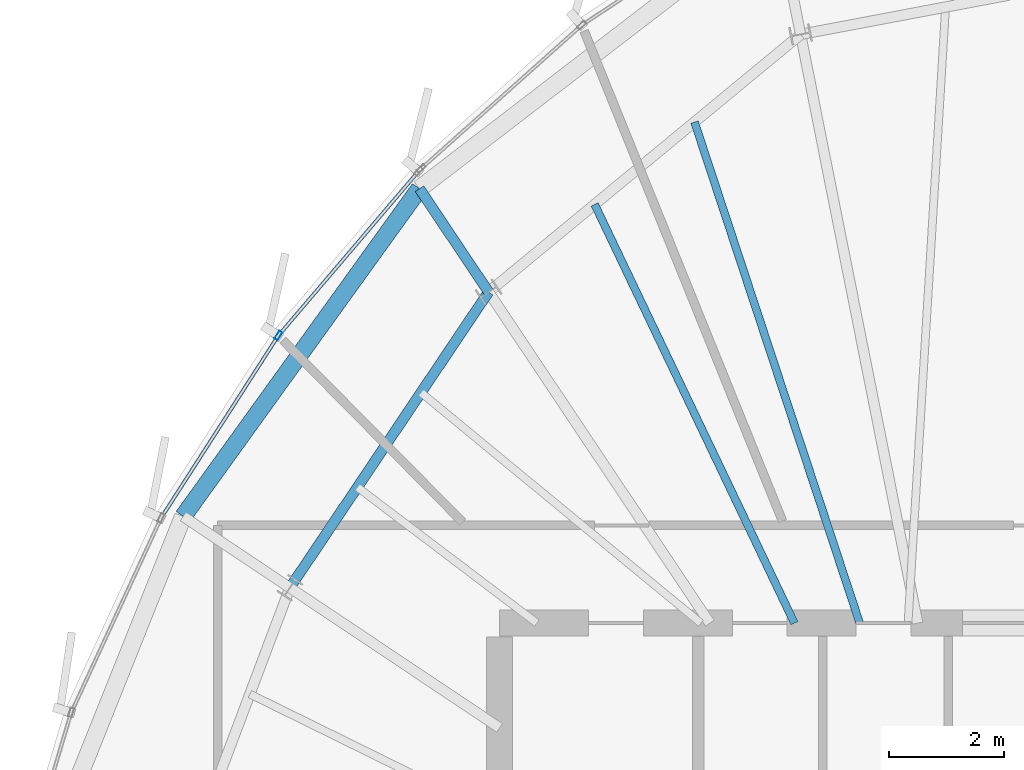
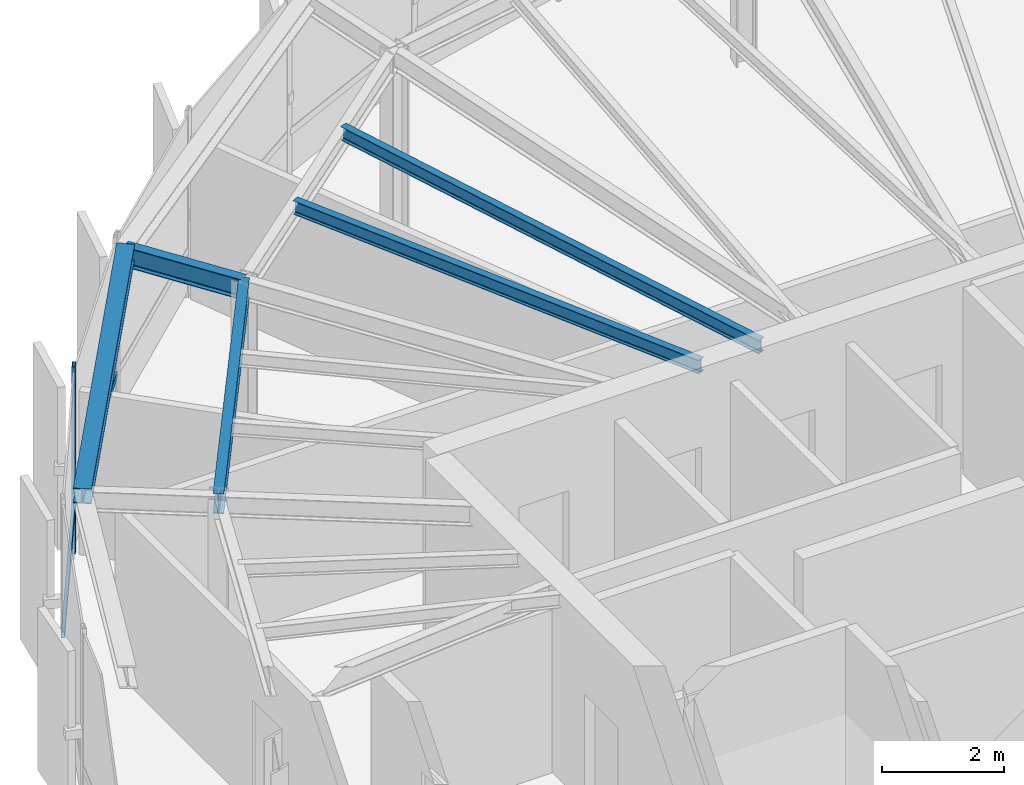
# One storey, part 14 of 27: 5 beams, 3 members, 1 element without a shape of its own.
"""IFC4 building model written with IfcOpenShell, lengths in metres."""

from ifc_helpers import new_model, si_unit, direction, frame, origin, origin_2d, place, context, subcontext, project, spatial, hollow_rectangle, i_section, extrude, source, transform, mapped, material, layer, layer_set, material_profile, profile_set, type_object, element, aggregate, save


model = new_model("IFC4")

# Units and contexts
model_context = context("Model", 3, precision=1e-05, world=origin(), true_north=direction((0.0, 1.0)))
body_context = subcontext(model_context, "Body", "Model", "MODEL_VIEW")
ifc_project = project(units=[si_unit("LENGTHUNIT", "METRE"), si_unit("AREAUNIT", "SQUARE_METRE"), si_unit("VOLUMEUNIT", "CUBIC_METRE"), si_unit("PLANEANGLEUNIT", "RADIAN"), si_unit("MASSUNIT", "GRAM", prefix="KILO"), si_unit("THERMODYNAMICTEMPERATUREUNIT", "KELVIN")], contexts=[model_context])

# Site, building, storey
site_placement = place(None, origin())
site = spatial("IfcSite", under=ifc_project, at=site_placement, CompositionType="ELEMENT")
building_placement = place(site_placement, origin())
building = spatial("IfcBuilding", under=site, at=building_placement, Name="Kethvar Cultural Tower", CompositionType="ELEMENT")
storey_placement = place(building_placement, frame((0.0, 0.0, 312.300048828125)))
storey = spatial("IfcBuildingStorey", under=building, at=storey_placement, Name="L83", CompositionType="ELEMENT", Elevation=312.300048828125)

# Beams
ifc_material_1 = material(Name="Steel S355J2", Category="steel")
ifc_material_profile_1 = material_profile(ifc_material_1, i_section(OverallWidth=0.135009765625, OverallDepth=0.27001953125, WebThickness=0.006591796875, FlangeThickness=0.01025390625, FilletRadius=0.014892578125, at=origin_2d()), Name="Steel S355J2 — IPE270")
ifc_profile_set_1 = profile_set([ifc_material_profile_1], Name="Steel S355J2 — IPE270")
beam_type_1 = type_object("IfcBeamType", Name="BM-J270", PredefinedType="JOIST", material=ifc_profile_set_1)
shared_shape_1 = source(origin(), body_context, "Body", "SweptSolid", [
    extrude(i_section(OverallWidth=0.135009765625, OverallDepth=0.27001953125, WebThickness=0.006591796875, FlangeThickness=0.01025390625, FilletRadius=0.014892578125, at=origin_2d()), origin(), (0.0, 0.0, 1.0), 9.17138671875),
])
beam_1_placement = place(storey_placement, frame((44.260986328125, 35.5, 3.597900390625), z_axis=(-0.313151555446, 0.949703165901, 0.0), x_axis=(-0.949703165901, -0.313151555446, 0.0)))
element("IfcBeam", 1, at=beam_1_placement, inside=storey, type_object=beam_type_1, Name="L83 Composite Floor Joist J-05A", PredefinedType="JOIST", context=body_context, shape_type="MappedRepresentation", body=[
    mapped(shared_shape_1, transform((0.0, 0.0, 0.0), scale=1.0)),
])
shared_shape_2 = source(origin(), body_context, "Body", "SweptSolid", [
    extrude(i_section(OverallWidth=0.135009765625, OverallDepth=0.27001953125, WebThickness=0.006591796875, FlangeThickness=0.01025390625, FilletRadius=0.014892578125, at=origin_2d()), origin(), (0.0, 0.0, 1.0), 8.063232421875),
])
beam_2_placement = place(storey_placement, frame((43.1259765625, 35.5, 3.597900390625), z_axis=(-0.430642151588, 0.902522762746, 0.0), x_axis=(-0.902522762746, -0.430642151588, 0.0)))
element("IfcBeam", 2, at=beam_2_placement, inside=storey, type_object=beam_type_1, Name="L83 Composite Floor Joist J-05B", PredefinedType="JOIST", context=body_context, shape_type="MappedRepresentation", body=[
    mapped(shared_shape_2, transform((0.0, 0.0, 0.0), scale=1.0)),
])
ifc_material_profile_2 = material_profile(ifc_material_1, i_section(OverallWidth=0.179931640625, OverallDepth=0.39990234375, WebThickness=0.008544921875, FlangeThickness=0.013427734375, FilletRadius=0.02099609375, at=origin_2d()), Name="Steel S355J2 — IPE400")
ifc_profile_set_2 = profile_set([ifc_material_profile_2], Name="Steel S355J2 — IPE400")
beam_type_2 = type_object("IfcBeamType", Name="BM-IPE400", PredefinedType="BEAM", material=ifc_profile_set_2)
shared_shape_3 = source(origin(), body_context, "Body", "SweptSolid", [
    extrude(i_section(OverallWidth=0.179931640625, OverallDepth=0.39990234375, WebThickness=0.008544921875, FlangeThickness=0.013427734375, FilletRadius=0.02099609375, at=origin_2d()), origin(), (0.0, 0.0, 1.0), 6.192626953125),
])
beam_3_placement = place(storey_placement, frame((37.8095703125, 41.255126953125, 3.532958984375), z_axis=(-0.557698912025, -0.830043326295, 0.0), x_axis=(0.830043326295, -0.557698912025, 0.0)))
element("IfcBeam", 3, at=beam_3_placement, inside=storey, type_object=beam_type_2, Name="L83 Column Ring Tie Beam CR-06", PredefinedType="BEAM", context=body_context, shape_type="MappedRepresentation", body=[
    mapped(shared_shape_3, transform((0.0, 0.0, 0.0), scale=1.0)),
])
shared_shape_4 = source(origin(), body_context, "Body", "SweptSolid", [
    extrude(i_section(OverallWidth=0.179931640625, OverallDepth=0.39990234375, WebThickness=0.008544921875, FlangeThickness=0.013427734375, FilletRadius=0.02099609375, at=origin_2d()), origin(), (0.0, 0.0, 1.0), 2.16162109375),
])
beam_4_placement = place(storey_placement, frame((37.8095703125, 41.255126953125, 3.532958984375), z_axis=(-0.555559993995, 0.831476453709, 0.0), x_axis=(-0.831476453709, -0.555559993995, 0.0)))
element("IfcBeam", 4, at=beam_4_placement, inside=storey, type_object=beam_type_2, Name="L83 Perimeter Cantilever Beam RC-06", PredefinedType="BEAM", context=body_context, shape_type="MappedRepresentation", body=[
    mapped(shared_shape_4, transform((0.0, 0.0, 0.0), scale=1.0)),
])
ifc_material_profile_3 = material_profile(ifc_material_1, i_section(OverallWidth=0.300048828125, OverallDepth=0.300048828125, WebThickness=0.010986328125, FlangeThickness=0.01904296875, FilletRadius=0.027099609375, at=origin_2d()), Name="Steel S355J2 — HEB300")
ifc_profile_set_3 = profile_set([ifc_material_profile_3], Name="Steel S355J2 — HEB300")
beam_type_3 = type_object("IfcBeamType", Name="BM-SP300", PredefinedType="SPANDREL", material=ifc_profile_set_3)
shared_shape_5 = source(origin(), body_context, "Body", "SweptSolid", [
    extrude(i_section(OverallWidth=0.300048828125, OverallDepth=0.300048828125, WebThickness=0.010986328125, FlangeThickness=0.01904296875, FilletRadius=0.027099609375, at=origin_2d()), origin(), (0.0, 0.0, 1.0), 7.024169921875),
])
beam_5_placement = place(storey_placement, frame((36.608642578125, 43.052490234375, 3.5830078125), z_axis=(-0.584783491789, -0.811189415445, 0.0), x_axis=(0.811189415445, -0.584783491789, 0.0)))
element("IfcBeam", 5, at=beam_5_placement, inside=storey, type_object=beam_type_3, Name="L83 Perimeter Spandrel Beam SP-06", PredefinedType="SPANDREL", context=body_context, shape_type="MappedRepresentation", body=[
    mapped(shared_shape_5, transform((0.0, 0.0, 0.0), scale=1.0)),
])

# Curtain wall, members
ifc_material_2 = material(Name="Aluminium 6063-T6", Category="aluminium")
ifc_layer = layer(ifc_material_2, 0.179931640625, Name="Aluminium 6063-T6", Category="aluminium")
ifc_layer_set = layer_set([ifc_layer], Name="Aluminium 6063-T6 (180 mm)")
curtain_wall_type = type_object("IfcCurtainWallType", Name="CW-SYS-06-CROWN", PredefinedType="NOTDEFINED", material=ifc_layer_set)
curtain_wall_placement = place(storey_placement, origin())
curtain_wall = element("IfcCurtainWall", 6, at=curtain_wall_placement, inside=storey, type_object=curtain_wall_type, Name="L83 Curtain Wall Run 02", PredefinedType="NOTDEFINED")
ifc_material_profile_4 = material_profile(ifc_material_2, hollow_rectangle(XDim=0.06494140625, YDim=0.159912109375, WallThickness=0.0048828125, at=origin_2d()), Name="Aluminium 6063-T6 — RHS160x65x5")
ifc_profile_set_4 = profile_set([ifc_material_profile_4], Name="Aluminium 6063-T6 — RHS160x65x5")
member_type_1 = type_object("IfcMemberType", Name="CW-SYS-06-CROWN-MUL", PredefinedType="MULLION", material=ifc_profile_set_4)
shared_shape_6 = source(origin(), body_context, "Body", "SweptSolid", [
    extrude(hollow_rectangle(XDim=0.06494140625, YDim=0.159912109375, WallThickness=0.0048828125, at=origin_2d()), origin(), (0.0, 0.0, 1.0), 3.73486328125),
])
member_1_placement = place(storey_placement, frame((34.155517578125, 40.497314453125, 0.0), z_axis=(0.0, 0.0, 1.0), x_axis=(0.84126554203, -0.540622130321, 0.0)))
member_1 = element("IfcMember", 7, at=member_1_placement, type_object=member_type_1, Name="CW-L83-R02 Mullion 2", PredefinedType="MULLION", context=body_context, shape_type="MappedRepresentation", body=[
    mapped(shared_shape_6, transform((0.0, 0.0, 0.0), scale=1.0)),
])
ifc_material_profile_5 = material_profile(ifc_material_2, hollow_rectangle(XDim=0.06005859375, YDim=0.139892578125, WallThickness=0.0048828125, at=origin_2d()), Name="Aluminium 6063-T6 — RHS140x60x5")
ifc_profile_set_5 = profile_set([ifc_material_profile_5], Name="Aluminium 6063-T6 — RHS140x60x5")
member_type_2 = type_object("IfcMemberType", Name="CW-SYS-06-CROWN-TRN", PredefinedType="USERDEFINED", material=ifc_profile_set_5)
shared_shape_7 = source(origin(), body_context, "Body", "SweptSolid", [
    extrude(hollow_rectangle(XDim=0.06005859375, YDim=0.139892578125, WallThickness=0.0048828125, at=origin_2d()), origin(), (0.0, 0.0, 1.0), 3.717529296875),
])
member_2_placement = place(storey_placement, frame((36.58837890625, 43.348876953125, 0.949951171875), z_axis=(-0.648831435637, -0.760932170518, 0.0), x_axis=(0.760932170518, -0.648831435637, 0.0)))
member_2 = element("IfcMember", 8, at=member_2_placement, type_object=member_type_2, Name="CW-L83-R02 Transom 1", ObjectType="TRANSOM", PredefinedType="USERDEFINED", context=body_context, shape_type="MappedRepresentation", body=[
    mapped(shared_shape_7, transform((0.0, 0.0, 0.0), scale=1.0)),
])
shared_shape_8 = source(origin(), body_context, "Body", "SweptSolid", [
    extrude(hollow_rectangle(XDim=0.06005859375, YDim=0.139892578125, WallThickness=0.0048828125, at=origin_2d()), origin(), (0.0, 0.0, 1.0), 3.69287109375),
])
member_3_placement = place(storey_placement, frame((34.130126953125, 40.4580078125, 0.949951171875), z_axis=(-0.540600535268, -0.841279419259, 0.0), x_axis=(0.841279419259, -0.540600535268, 0.0)))
member_3 = element("IfcMember", 9, at=member_3_placement, type_object=member_type_2, Name="CW-L83-R02 Transom 2", ObjectType="TRANSOM", PredefinedType="USERDEFINED", context=body_context, shape_type="MappedRepresentation", body=[
    mapped(shared_shape_8, transform((0.0, 0.0, 0.0), scale=1.0)),
])
aggregate(curtain_wall, [member_1, member_2, member_3])

save(model, "model.ifc")
